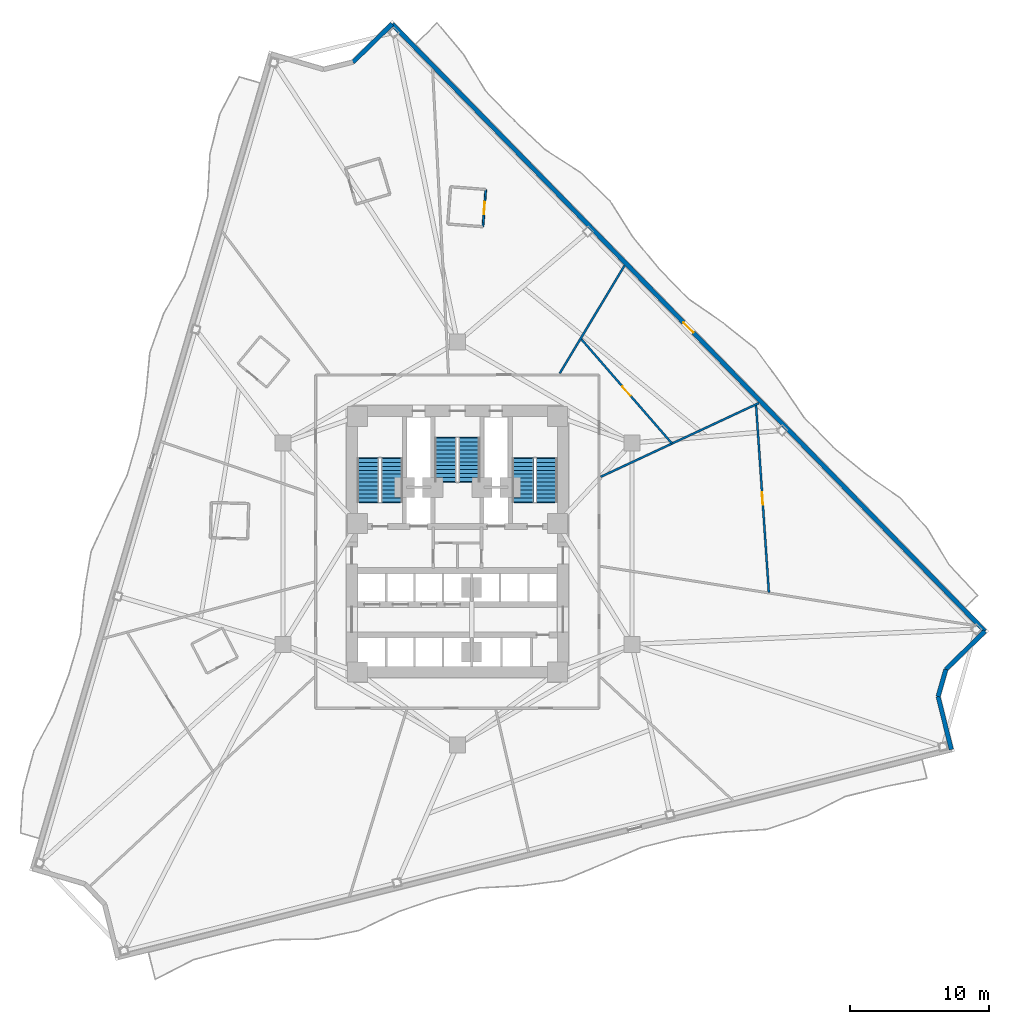
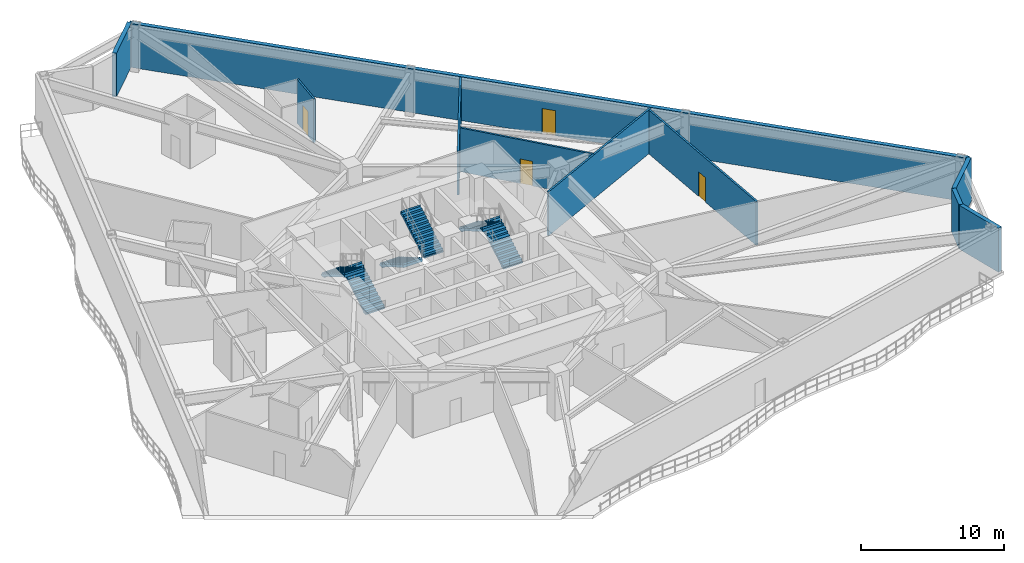
# One storey, part 6 of 10: 10 walls, 6 stair flights, 4 doors, 4 openings, 3 elements without a shape of their own.
"""IFC4 building model written with IfcOpenShell, lengths in metres."""

from ifc_helpers import new_model, si_unit, direction, frame, frame_2d, origin, place, context, subcontext, project, spatial, polyline, rectangle, outline, extrude, material, layer, layer_set, type_object, element, fill, aggregate, save


model = new_model("IFC4")

# Units and contexts
model_context = context("Model", 3, precision=1e-05, world=origin(), true_north=direction((0.0, 1.0)))
body_context = subcontext(model_context, "Body", "Model", "MODEL_VIEW")
ifc_project = project(units=[si_unit("LENGTHUNIT", "METRE"), si_unit("AREAUNIT", "SQUARE_METRE"), si_unit("VOLUMEUNIT", "CUBIC_METRE"), si_unit("PLANEANGLEUNIT", "RADIAN"), si_unit("MASSUNIT", "GRAM", prefix="KILO")], contexts=[model_context])

# Site, building, storey
site_placement = place(None, origin())
site = spatial("IfcSite", under=ifc_project, at=site_placement, CompositionType="ELEMENT")
building_placement = place(site_placement, origin())
building = spatial("IfcBuilding", under=site, at=building_placement, Name="Apsidion Concourse Tower", CompositionType="ELEMENT")
storey_placement = place(building_placement, frame((0.0, 0.0, 107.0)))
storey = spatial("IfcBuildingStorey", under=building, at=storey_placement, Name="L24", CompositionType="ELEMENT", Elevation=107.0)

# Wall, opening, door
ifc_material_1 = material(Name="Precast concrete C40/50", Category="concrete")
ifc_layer_1 = layer(ifc_material_1, 0.320068359375)
ifc_layer_set_1 = layer_set([ifc_layer_1], Name="Precast concrete C40/50")
wall_type_1 = type_object("IfcWallType", Name="WL-EXT-320", PredefinedType="STANDARD", material=ifc_layer_set_1)
wall_1_placement = place(storey_placement, frame((-4.6982421875, 37.40185546875, 0.0), z_axis=(0.0, 0.0, 1.0), x_axis=(0.698490621109, -0.715619208954, 0.0)))
wall_1 = element("IfcWall", 1, at=wall_1_placement, inside=storey, type_object=wall_type_1, Name="L24 Precast Stone Facade Wall 01", PredefinedType="STANDARD", context=body_context, shape_type="SweptSolid", body=[
    extrude(rectangle(XDim=61.075927734375, YDim=0.320068359375, at=frame_2d((30.5380859375, 0.0))), origin(), (0.0, 0.0, 1.0), 3.75),
])
opening_1_placement = place(wall_1_placement, frame((30.037841796875, 0.0, 0.0)))
opening_1 = element("IfcOpeningElement", 2, at=opening_1_placement, cuts=wall_1, Name="Opening D-T1L", PredefinedType="OPENING", context=body_context, shape_type="SweptSolid", body=[
    extrude(rectangle(XDim=1.0, YDim=2.14990234375, at=frame_2d((0.5, 1.074951171875))), frame((0.0, 0.169921875, 0.0), z_axis=(0.0, -1.0, 0.0), x_axis=(1.0, 0.0, 0.0)), (0.0, 0.0, 1.0), 0.340087890625),
])
ifc_material_2 = material(Name="Anodised aluminium EN AW-6063 T6", Category="aluminium")
door_type_1 = type_object("IfcDoorType", Name="DR-TER-1022L", OperationType="SINGLE_SWING_LEFT", PredefinedType="DOOR", material=ifc_material_2)
door_1_placement = place(opening_1_placement, origin())
door_1 = element("IfcDoor", 3, at=door_1_placement, inside=storey, type_object=door_type_1, Name="L24 Balcony Access Door 3", OperationType="SINGLE_SWING_LEFT", OverallHeight=2.14990234375, OverallWidth=1.0, PredefinedType="DOOR", context=body_context, shape_type="SweptSolid", body=[
    extrude(rectangle(XDim=1.0, YDim=2.14990234375, at=frame_2d((0.5, 1.074951171875))), frame((0.0, 0.02490234375, 0.0), z_axis=(0.0, -1.0, 0.0), x_axis=(1.0, 0.0, 0.0)), (0.0, 0.0, 1.0), 0.050048828125),
])
fill(opening_1, door_1)

# Walls
wall_2_placement = place(storey_placement, frame((37.962646484375, -6.30517578125, 0.0), z_axis=(0.0, 0.0, 1.0), x_axis=(-0.71562223009, -0.698487525873, 0.0)))
element("IfcWall", 4, at=wall_2_placement, inside=storey, type_object=wall_type_1, Name="L24 Precast Stone Facade Wall 02", PredefinedType="STANDARD", context=body_context, shape_type="SweptSolid", body=[
    extrude(rectangle(XDim=3.9326171875, YDim=0.320068359375, at=frame_2d((1.96630859375, 0.0))), origin(), (0.0, 0.0, 1.0), 3.75),
])
wall_3_placement = place(storey_placement, frame((35.1484375, -9.052001953125, 0.0), z_axis=(0.0, 0.0, 1.0), x_axis=(-0.27306692697, -0.961995038134, 0.0)))
element("IfcWall", 5, at=wall_3_placement, inside=storey, type_object=wall_type_1, Name="L24 Precast Stone Facade Wall 03", PredefinedType="STANDARD", context=body_context, shape_type="SweptSolid", body=[
    extrude(rectangle(XDim=2.02783203125, YDim=0.320068359375, at=frame_2d((1.013916015625, 0.0))), origin(), (0.0, 0.0, 1.0), 3.75),
])
wall_4_placement = place(storey_placement, frame((34.5947265625, -11.002685546875, 0.0), z_axis=(0.0, 0.0, 1.0), x_axis=(0.241936662418, -0.970292044375, 0.0)))
element("IfcWall", 6, at=wall_4_placement, inside=storey, type_object=wall_type_1, Name="L24 Precast Stone Facade Wall 04", PredefinedType="STANDARD", context=body_context, shape_type="SweptSolid", body=[
    extrude(rectangle(XDim=3.9326171875, YDim=0.320068359375, at=frame_2d((1.96630859375, 0.0))), origin(), (0.0, 0.0, 1.0), 3.75),
])
wall_5_placement = place(storey_placement, frame((-7.51318359375, 34.654296875, 0.0), z_axis=(0.0, 0.0, 1.0), x_axis=(0.715620001602, 0.698489809022, 0.0)))
element("IfcWall", 7, at=wall_5_placement, inside=storey, type_object=wall_type_1, Name="L24 Precast Stone Facade Wall 12", PredefinedType="STANDARD", context=body_context, shape_type="SweptSolid", body=[
    extrude(rectangle(XDim=3.93359375, YDim=0.320068359375, at=frame_2d((1.966796875, 0.0))), origin(), (0.0, 0.0, 1.0), 3.75),
])

# Wall, opening, door
ifc_material_3 = material(Name="Gypsum plasterboard partition")
ifc_layer_2 = layer(ifc_material_3, 0.139892578125)
ifc_layer_set_2 = layer_set([ifc_layer_2], Name="Gypsum plasterboard partition")
wall_type_2 = type_object("IfcWallType", Name="WL-INT-PAR-140", PredefinedType="PARTITIONING", material=ifc_layer_set_2)
wall_6_placement = place(storey_placement, frame((1.834228515625, 22.806396484375, 0.0), z_axis=(0.0, 0.0, 1.0), x_axis=(0.076696498885, 0.997054485502, 0.0)))
wall_6 = element("IfcWall", 8, at=wall_6_placement, inside=storey, type_object=wall_type_2, Name="L24 Interior Partition WL-L24-POD-ENS07-S1", PredefinedType="PARTITIONING", context=body_context, shape_type="SweptSolid", body=[
    extrude(rectangle(XDim=2.689697265625, YDim=0.139892578125, at=frame_2d((1.3447265625, 0.0))), origin(), (0.0, 0.0, 1.0), 3.75),
])
opening_2_placement = place(wall_6_placement, frame((0.905029296875, 0.0, 0.0)))
opening_2 = element("IfcOpeningElement", 9, at=opening_2_placement, cuts=wall_6, Name="Opening D-03R", PredefinedType="OPENING", context=body_context, shape_type="SweptSolid", body=[
    extrude(rectangle(XDim=0.8798828125, YDim=2.10009765625, at=frame_2d((0.43994140625, 1.050048828125))), frame((0.0, 0.080078125, 0.0), z_axis=(0.0, -1.0, 0.0), x_axis=(1.0, 0.0, 0.0)), (0.0, 0.0, 1.0), 0.159912109375),
])
door_type_2 = type_object("IfcDoorType", Name="DR-INT-D03R", OperationType="SINGLE_SWING_RIGHT", PredefinedType="DOOR", material=ifc_material_2)
door_2_placement = place(opening_2_placement, origin())
door_2 = element("IfcDoor", 10, at=door_2_placement, inside=storey, type_object=door_type_2, Name="L24 Guest En-Suite Bathroom Door ENS07", OperationType="SINGLE_SWING_RIGHT", OverallHeight=2.10009765625, OverallWidth=0.8798828125, PredefinedType="DOOR", context=body_context, shape_type="SweptSolid", body=[
    extrude(rectangle(XDim=0.8798828125, YDim=2.10009765625, at=frame_2d((0.43994140625, 1.050048828125))), frame((0.0, 0.02490234375, 0.0), z_axis=(0.0, -1.0, 0.0), x_axis=(1.0, 0.0, 0.0)), (0.0, 0.0, 1.0), 0.050048828125),
])
fill(opening_2, door_2)

# Walls
ifc_layer_3 = layer(ifc_material_3, 0.14990234375)
ifc_layer_set_3 = layer_set([ifc_layer_3], Name="Gypsum plasterboard partition")
wall_type_3 = type_object("IfcWallType", Name="WL-INT-PAR-150", PredefinedType="PARTITIONING", material=ifc_layer_set_3)
wall_7_placement = place(storey_placement, frame((10.304931640625, 4.805419921875, 0.0), z_axis=(0.0, 0.0, 1.0), x_axis=(0.906312673918, 0.422607781631, 0.0)))
element("IfcWall", 11, at=wall_7_placement, inside=storey, type_object=wall_type_3, Name="L24 Interior Partition WL-L24-RAD-01-1", PredefinedType="PARTITIONING", context=body_context, shape_type="SweptSolid", body=[
    extrude(rectangle(XDim=12.563232421875, YDim=0.14990234375, at=frame_2d((6.28173828125, 0.0))), origin(), (0.0, 0.0, 1.0), 3.75),
])
wall_8_placement = place(storey_placement, frame((7.363525390625, 12.2548828125, 0.0), z_axis=(0.0, 0.0, 1.0), x_axis=(0.515030961147, 0.857171575042, 0.0)))
element("IfcWall", 12, at=wall_8_placement, inside=storey, type_object=wall_type_3, Name="L24 Interior Partition WL-L24-RAD-02-1", PredefinedType="PARTITIONING", context=body_context, shape_type="SweptSolid", body=[
    extrude(rectangle(XDim=9.054443359375, YDim=0.14990234375, at=frame_2d((4.52734375, 0.0))), origin(), (0.0, 0.0, 1.0), 3.75),
])

# Wall, opening, door
wall_9_placement = place(storey_placement, frame((22.41455078125, -3.52490234375, 0.0), z_axis=(0.0, 0.0, 1.0), x_axis=(-0.068270897284, 0.997666820429, 0.0)))
wall_9 = element("IfcWall", 13, at=wall_9_placement, inside=storey, type_object=wall_type_3, Name="L24 Interior Partition WL-L24-CHD-H8G05", PredefinedType="PARTITIONING", context=body_context, shape_type="SweptSolid", body=[
    extrude(rectangle(XDim=13.549560546875, YDim=0.14990234375, at=frame_2d((6.77490234375, 0.0))), origin(), (0.0, 0.0, 1.0), 3.75),
])
opening_3_placement = place(wall_9_placement, frame((6.32470703125, 0.0, 0.0)))
opening_3 = element("IfcOpeningElement", 14, at=opening_3_placement, cuts=wall_9, Name="Opening D-02R", PredefinedType="OPENING", context=body_context, shape_type="SweptSolid", body=[
    extrude(rectangle(XDim=0.89990234375, YDim=2.10009765625, at=frame_2d((0.449951171875, 1.050048828125))), frame((0.0, 0.0849609375, 0.0), z_axis=(0.0, -1.0, 0.0), x_axis=(1.0, 0.0, 0.0)), (0.0, 0.0, 1.0), 0.169921875),
])
door_type_3 = type_object("IfcDoorType", Name="DR-INT-D02R", OperationType="SINGLE_SWING_RIGHT", PredefinedType="DOOR", material=ifc_material_2)
door_3_placement = place(opening_3_placement, origin())
door_3 = element("IfcDoor", 15, at=door_3_placement, inside=storey, type_object=door_type_3, Name="L24 Suite Connecting Door H8G05", OperationType="SINGLE_SWING_RIGHT", OverallHeight=2.10009765625, OverallWidth=0.89990234375, PredefinedType="DOOR", context=body_context, shape_type="SweptSolid", body=[
    extrude(rectangle(XDim=0.89990234375, YDim=2.10009765625, at=frame_2d((0.449951171875, 1.050048828125))), frame((0.0, 0.02490234375, 0.0), z_axis=(0.0, -1.0, 0.0), x_axis=(1.0, 0.0, 0.0)), (0.0, 0.0, 1.0), 0.050048828125),
])
fill(opening_3, door_3)

wall_10_placement = place(storey_placement, frame((15.427734375, 7.2216796875, 0.0), z_axis=(0.0, 0.0, 1.0), x_axis=(-0.656028314667, 0.75473627868, 0.0)))
wall_10 = element("IfcWall", 16, at=wall_10_placement, inside=storey, type_object=wall_type_3, Name="L24 Interior Partition WL-L24-CHD-H8G06", PredefinedType="PARTITIONING", context=body_context, shape_type="SweptSolid", body=[
    extrude(rectangle(XDim=9.9677734375, YDim=0.14990234375, at=frame_2d((4.98388671875, 0.0))), origin(), (0.0, 0.0, 1.0), 3.75),
])
opening_4_placement = place(wall_10_placement, frame((4.533935546875, 0.0, 0.0)))
opening_4 = element("IfcOpeningElement", 17, at=opening_4_placement, cuts=wall_10, Name="Opening D-02L", PredefinedType="OPENING", context=body_context, shape_type="SweptSolid", body=[
    extrude(rectangle(XDim=0.89990234375, YDim=2.10009765625, at=frame_2d((0.449951171875, 1.050048828125))), frame((0.0, 0.0849609375, 0.0), z_axis=(0.0, -1.0, 0.0), x_axis=(1.0, 0.0, 0.0)), (0.0, 0.0, 1.0), 0.169921875),
])
door_type_4 = type_object("IfcDoorType", Name="DR-INT-D02L", OperationType="SINGLE_SWING_LEFT", PredefinedType="DOOR", material=ifc_material_2)
door_4_placement = place(opening_4_placement, origin())
door_4 = element("IfcDoor", 18, at=door_4_placement, inside=storey, type_object=door_type_4, Name="L24 Suite Connecting Door H8G06", OperationType="SINGLE_SWING_LEFT", OverallHeight=2.10009765625, OverallWidth=0.89990234375, PredefinedType="DOOR", context=body_context, shape_type="SweptSolid", body=[
    extrude(rectangle(XDim=0.89990234375, YDim=2.10009765625, at=frame_2d((0.449951171875, 1.050048828125))), frame((0.0, 0.02490234375, 0.0), z_axis=(0.0, -1.0, 0.0), x_axis=(1.0, 0.0, 0.0)), (0.0, 0.0, 1.0), 0.050048828125),
])
fill(opening_4, door_4)

# Stair, stair flights
stair_type = type_object("IfcStairType", Name="ST-DL-1550", PredefinedType="HALF_TURN_STAIR", material=ifc_material_1)
stair_1_placement = place(storey_placement, origin())
stair_1 = element("IfcStair", 19, at=stair_1_placement, inside=storey, type_object=stair_type, Name="L24 Protected Core Exit Stair ST1", PredefinedType="HALF_TURN_STAIR")
stair_flight_type = type_object("IfcStairFlightType", Name="SFL-RC-1550", PredefinedType="STRAIGHT", material=ifc_material_1)
stair_flight_1_placement = place(storey_placement, frame((-4.72509765625, 3.0, 0.0), z_axis=(0.0, 0.0, 1.0), x_axis=(0.0, 1.0, 0.0)))
stair_flight_1 = element("IfcStairFlight", 20, at=stair_flight_1_placement, type_object=stair_flight_type, Name="ST1 flight 1", NumberOfRisers=12, NumberOfTreads=11, PredefinedType="STRAIGHT", RiserHeight=0.166666667, TreadLength=0.285, context=body_context, shape_type="SweptSolid", body=[
    extrude(outline(polyline([(-0.080078125, -0.1123046875), (-0.080078125, 0.0), (0.0, 0.0), (0.0, 0.166748046875), (0.284912109375, 0.166748046875), (0.284912109375, 0.333251953125), (0.570068359375, 0.333251953125), (0.570068359375, 0.5), (0.85498046875, 0.5), (0.85498046875, 0.666748046875), (1.139892578125, 0.666748046875), (1.139892578125, 0.833251953125), (1.425048828125, 0.833251953125), (1.425048828125, 1.0), (1.7099609375, 1.0), (1.7099609375, 1.166748046875), (1.9951171875, 1.166748046875), (1.9951171875, 1.333251953125), (2.280029296875, 1.333251953125), (2.280029296875, 1.5), (2.56494140625, 1.5), (2.56494140625, 1.666748046875), (2.85009765625, 1.666748046875), (2.85009765625, 1.833251953125), (3.135009765625, 1.833251953125), (3.135009765625, 2.0), (3.215087890625, 1.916748046875), (3.215087890625, 1.65966796875), (3.135009765625, 1.65966796875), (0.296875, 0.0), (0.296875, -0.1123046875), (-0.080078125, -0.1123046875)])), frame((0.0, 0.77490234375, 0.0), z_axis=(0.0, -1.0, 0.0), x_axis=(1.0, 0.0, 0.0)), (0.0, 0.0, 1.0), 1.550048828125),
])
stair_flight_2_placement = place(storey_placement, frame((-6.425048828125, 6.135009765625, 2.0), z_axis=(0.0, 0.0, 1.0), x_axis=(0.0, -1.0, 0.0)))
stair_flight_2 = element("IfcStairFlight", 21, at=stair_flight_2_placement, type_object=stair_flight_type, Name="ST1 flight 2", NumberOfRisers=12, NumberOfTreads=11, PredefinedType="STRAIGHT", RiserHeight=0.166666667, TreadLength=0.285, context=body_context, shape_type="SweptSolid", body=[
    extrude(outline(polyline([(-0.080078125, -0.1123046875), (-0.080078125, 0.0), (0.0, 0.0), (0.0, 0.166748046875), (0.284912109375, 0.166748046875), (0.284912109375, 0.333251953125), (0.570068359375, 0.333251953125), (0.570068359375, 0.5), (0.85498046875, 0.5), (0.85498046875, 0.666748046875), (1.139892578125, 0.666748046875), (1.139892578125, 0.833251953125), (1.425048828125, 0.833251953125), (1.425048828125, 1.0), (1.7099609375, 1.0), (1.7099609375, 1.166748046875), (1.9951171875, 1.166748046875), (1.9951171875, 1.333251953125), (2.280029296875, 1.333251953125), (2.280029296875, 1.5), (2.56494140625, 1.5), (2.56494140625, 1.666748046875), (2.85009765625, 1.666748046875), (2.85009765625, 1.833251953125), (3.135009765625, 1.833251953125), (3.135009765625, 2.0), (3.215087890625, 1.916748046875), (3.215087890625, 1.65966796875), (3.135009765625, 1.65966796875), (0.296875, 0.0), (0.296875, -0.1123046875), (-0.080078125, -0.1123046875)])), frame((0.0, 0.77490234375, 0.0), z_axis=(0.0, -1.0, 0.0), x_axis=(1.0, 0.0, 0.0)), (0.0, 0.0, 1.0), 1.550048828125),
])
aggregate(stair_1, [stair_flight_1, stair_flight_2])

stair_2_placement = place(storey_placement, origin())
stair_2 = element("IfcStair", 22, at=stair_2_placement, inside=storey, type_object=stair_type, Name="L24 Protected Core Exit Stair ST2", PredefinedType="HALF_TURN_STAIR")
stair_flight_3_placement = place(storey_placement, frame((6.425048828125, 3.0, 0.0), z_axis=(0.0, 0.0, 1.0), x_axis=(0.0, 1.0, 0.0)))
stair_flight_3 = element("IfcStairFlight", 23, at=stair_flight_3_placement, type_object=stair_flight_type, Name="ST2 flight 1", NumberOfRisers=12, NumberOfTreads=11, PredefinedType="STRAIGHT", RiserHeight=0.166666667, TreadLength=0.285, context=body_context, shape_type="SweptSolid", body=[
    extrude(outline(polyline([(-0.080078125, -0.1123046875), (-0.080078125, 0.0), (0.0, 0.0), (0.0, 0.166748046875), (0.284912109375, 0.166748046875), (0.284912109375, 0.333251953125), (0.570068359375, 0.333251953125), (0.570068359375, 0.5), (0.85498046875, 0.5), (0.85498046875, 0.666748046875), (1.139892578125, 0.666748046875), (1.139892578125, 0.833251953125), (1.425048828125, 0.833251953125), (1.425048828125, 1.0), (1.7099609375, 1.0), (1.7099609375, 1.166748046875), (1.9951171875, 1.166748046875), (1.9951171875, 1.333251953125), (2.280029296875, 1.333251953125), (2.280029296875, 1.5), (2.56494140625, 1.5), (2.56494140625, 1.666748046875), (2.85009765625, 1.666748046875), (2.85009765625, 1.833251953125), (3.135009765625, 1.833251953125), (3.135009765625, 2.0), (3.215087890625, 1.916748046875), (3.215087890625, 1.65966796875), (3.135009765625, 1.65966796875), (0.296875, 0.0), (0.296875, -0.1123046875), (-0.080078125, -0.1123046875)])), frame((0.0, 0.77490234375, 0.0), z_axis=(0.0, -1.0, 0.0), x_axis=(1.0, 0.0, 0.0)), (0.0, 0.0, 1.0), 1.550048828125),
])
stair_flight_4_placement = place(storey_placement, frame((4.72509765625, 6.135009765625, 2.0), z_axis=(0.0, 0.0, 1.0), x_axis=(0.0, -1.0, 0.0)))
stair_flight_4 = element("IfcStairFlight", 24, at=stair_flight_4_placement, type_object=stair_flight_type, Name="ST2 flight 2", NumberOfRisers=12, NumberOfTreads=11, PredefinedType="STRAIGHT", RiserHeight=0.166666667, TreadLength=0.285, context=body_context, shape_type="SweptSolid", body=[
    extrude(outline(polyline([(-0.080078125, -0.1123046875), (-0.080078125, 0.0), (0.0, 0.0), (0.0, 0.166748046875), (0.284912109375, 0.166748046875), (0.284912109375, 0.333251953125), (0.570068359375, 0.333251953125), (0.570068359375, 0.5), (0.85498046875, 0.5), (0.85498046875, 0.666748046875), (1.139892578125, 0.666748046875), (1.139892578125, 0.833251953125), (1.425048828125, 0.833251953125), (1.425048828125, 1.0), (1.7099609375, 1.0), (1.7099609375, 1.166748046875), (1.9951171875, 1.166748046875), (1.9951171875, 1.333251953125), (2.280029296875, 1.333251953125), (2.280029296875, 1.5), (2.56494140625, 1.5), (2.56494140625, 1.666748046875), (2.85009765625, 1.666748046875), (2.85009765625, 1.833251953125), (3.135009765625, 1.833251953125), (3.135009765625, 2.0), (3.215087890625, 1.916748046875), (3.215087890625, 1.65966796875), (3.135009765625, 1.65966796875), (0.296875, 0.0), (0.296875, -0.1123046875), (-0.080078125, -0.1123046875)])), frame((0.0, 0.77490234375, 0.0), z_axis=(0.0, -1.0, 0.0), x_axis=(1.0, 0.0, 0.0)), (0.0, 0.0, 1.0), 1.550048828125),
])
aggregate(stair_2, [stair_flight_3, stair_flight_4])

stair_3_placement = place(storey_placement, origin())
stair_3 = element("IfcStair", 25, at=stair_3_placement, inside=storey, type_object=stair_type, Name="L24 Protected Core Exit Stair ST3", PredefinedType="HALF_TURN_STAIR")
stair_flight_5_placement = place(storey_placement, frame((-0.85009765625, 7.60009765625, 0.0), z_axis=(0.0, 0.0, 1.0), x_axis=(0.0, -1.0, 0.0)))
stair_flight_5 = element("IfcStairFlight", 26, at=stair_flight_5_placement, type_object=stair_flight_type, Name="ST3 flight 1", NumberOfRisers=12, NumberOfTreads=11, PredefinedType="STRAIGHT", RiserHeight=0.166666667, TreadLength=0.285, context=body_context, shape_type="SweptSolid", body=[
    extrude(outline(polyline([(-0.080078125, -0.1123046875), (-0.080078125, 0.0), (0.0, 0.0), (0.0, 0.166748046875), (0.284912109375, 0.166748046875), (0.284912109375, 0.333251953125), (0.570068359375, 0.333251953125), (0.570068359375, 0.5), (0.85498046875, 0.5), (0.85498046875, 0.666748046875), (1.139892578125, 0.666748046875), (1.139892578125, 0.833251953125), (1.425048828125, 0.833251953125), (1.425048828125, 1.0), (1.7099609375, 1.0), (1.7099609375, 1.166748046875), (1.9951171875, 1.166748046875), (1.9951171875, 1.333251953125), (2.280029296875, 1.333251953125), (2.280029296875, 1.5), (2.56494140625, 1.5), (2.56494140625, 1.666748046875), (2.85009765625, 1.666748046875), (2.85009765625, 1.833251953125), (3.135009765625, 1.833251953125), (3.135009765625, 2.0), (3.215087890625, 1.916748046875), (3.215087890625, 1.65966796875), (3.135009765625, 1.65966796875), (0.296875, 0.0), (0.296875, -0.1123046875), (-0.080078125, -0.1123046875)])), frame((0.0, 0.77490234375, 0.0), z_axis=(0.0, -1.0, 0.0), x_axis=(1.0, 0.0, 0.0)), (0.0, 0.0, 1.0), 1.550048828125),
])
stair_flight_6_placement = place(storey_placement, frame((0.85009765625, 4.465087890625, 2.0), z_axis=(0.0, 0.0, 1.0), x_axis=(0.0, 1.0, 0.0)))
stair_flight_6 = element("IfcStairFlight", 27, at=stair_flight_6_placement, type_object=stair_flight_type, Name="ST3 flight 2", NumberOfRisers=12, NumberOfTreads=11, PredefinedType="STRAIGHT", RiserHeight=0.166666667, TreadLength=0.285, context=body_context, shape_type="SweptSolid", body=[
    extrude(outline(polyline([(-0.080078125, -0.1123046875), (-0.080078125, 0.0), (0.0, 0.0), (0.0, 0.166748046875), (0.284912109375, 0.166748046875), (0.284912109375, 0.333251953125), (0.570068359375, 0.333251953125), (0.570068359375, 0.5), (0.85498046875, 0.5), (0.85498046875, 0.666748046875), (1.139892578125, 0.666748046875), (1.139892578125, 0.833251953125), (1.425048828125, 0.833251953125), (1.425048828125, 1.0), (1.7099609375, 1.0), (1.7099609375, 1.166748046875), (1.9951171875, 1.166748046875), (1.9951171875, 1.333251953125), (2.280029296875, 1.333251953125), (2.280029296875, 1.5), (2.56494140625, 1.5), (2.56494140625, 1.666748046875), (2.85009765625, 1.666748046875), (2.85009765625, 1.833251953125), (3.135009765625, 1.833251953125), (3.135009765625, 2.0), (3.215087890625, 1.916748046875), (3.215087890625, 1.65966796875), (3.135009765625, 1.65966796875), (0.296875, 0.0), (0.296875, -0.1123046875), (-0.080078125, -0.1123046875)])), frame((0.0, 0.77490234375, 0.0), z_axis=(0.0, -1.0, 0.0), x_axis=(1.0, 0.0, 0.0)), (0.0, 0.0, 1.0), 1.550048828125),
])
aggregate(stair_3, [stair_flight_5, stair_flight_6])

save(model, "model.ifc")
